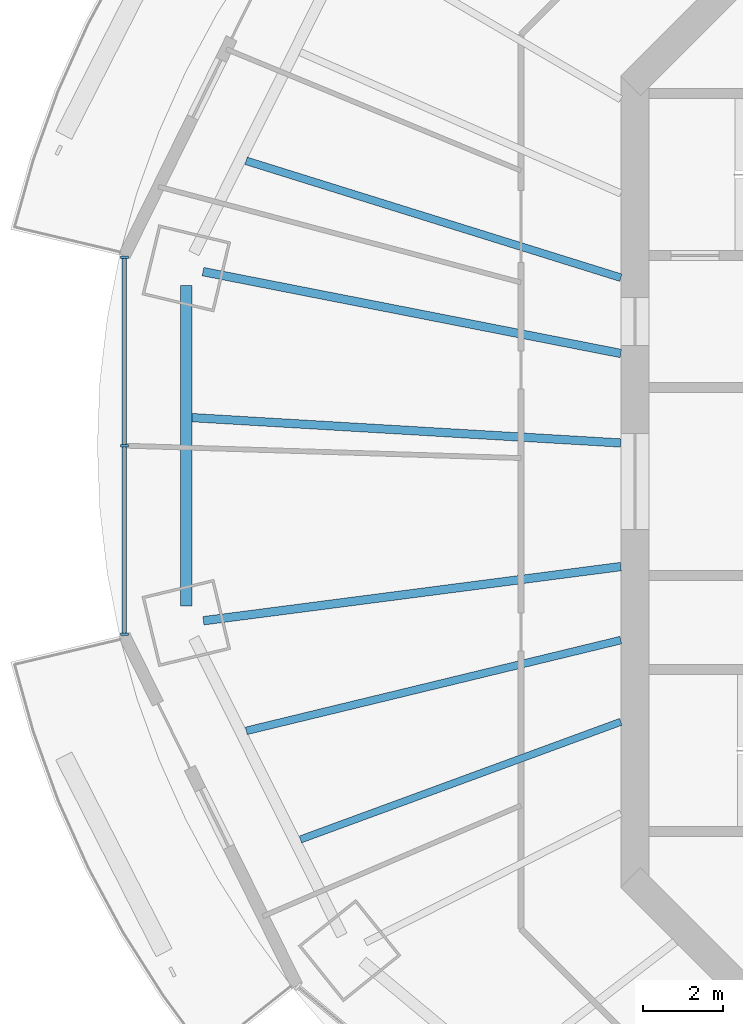
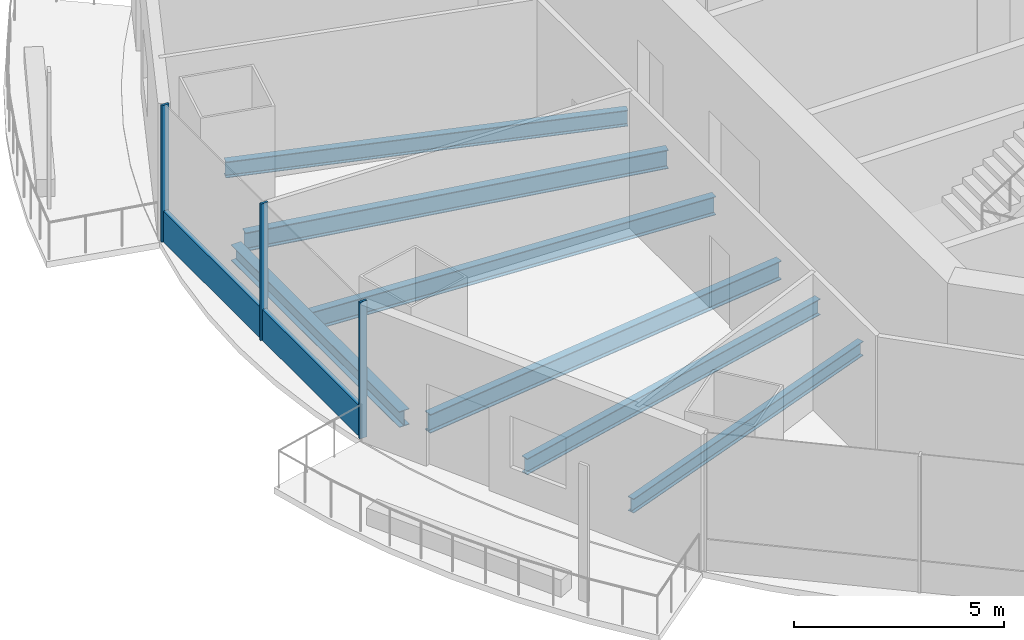
# One storey, part 3 of 16: 7 beams, 4 members, 1 element without a shape of its own.
"""IFC4 building model written with IfcOpenShell, lengths in metres."""

from ifc_helpers import new_model, si_unit, direction, frame, origin, origin_2d, place, context, subcontext, project, spatial, rectangle, i_section, extrude, material, material_profile, profile_set, type_object, element, aggregate, save


model = new_model("IFC4")

# Units and contexts
model_context = context("Model", 3, precision=1e-05, world=origin(), true_north=direction((0.0, 1.0)))
body_context = subcontext(model_context, "Body", "Model", "MODEL_VIEW")
ifc_project = project(units=[si_unit("LENGTHUNIT", "METRE"), si_unit("AREAUNIT", "SQUARE_METRE"), si_unit("VOLUMEUNIT", "CUBIC_METRE"), si_unit("PLANEANGLEUNIT", "RADIAN"), si_unit("MASSUNIT", "GRAM", prefix="KILO")], contexts=[model_context])

# Site, building, storey
site_placement = place(None, origin())
site = spatial("IfcSite", under=ifc_project, at=site_placement, CompositionType="ELEMENT")
building_placement = place(site_placement, origin())
building = spatial("IfcBuilding", under=site, at=building_placement, Name="Marenthal Gate Tower", CompositionType="ELEMENT")
storey_placement = place(building_placement, frame((0.0, 0.0, 284.5)))
storey = spatial("IfcBuildingStorey", under=building, at=storey_placement, Name="L63", CompositionType="ELEMENT", Elevation=284.5)

# Curtain wall, members
ifc_material_1 = material(Name="Aluminium and glass", Category="aluminium")
curtain_wall_type = type_object("IfcCurtainWallType", Name="Curtain wall typical high", PredefinedType="NOTDEFINED", material=ifc_material_1)
curtain_wall_placement = place(storey_placement, origin())
curtain_wall = element("IfcCurtainWall", 1, at=curtain_wall_placement, inside=storey, type_object=curtain_wall_type, Name="Curtain wall L63 bay 8", PredefinedType="NOTDEFINED")
ifc_material_2 = material(Name="Aluminium", Category="aluminium")
ifc_material_profile_1 = material_profile(ifc_material_2, rectangle(XDim=0.199951171875, YDim=0.06005859375, at=origin_2d()), Name="60x200 aluminium mullion")
ifc_profile_set_1 = profile_set([ifc_material_profile_1], Name="Aluminium")
member_type_1 = type_object("IfcMemberType", Name="Mullion 60x200 typical high", PredefinedType="MULLION", material=ifc_profile_set_1)
member_1_placement = place(storey_placement, frame((-28.76220703125, 5.611328125, 0.0), z_axis=(0.0, 0.0, 1.0), x_axis=(1.0, 0.0, 0.0)))
member_1 = element("IfcMember", 2, at=member_1_placement, type_object=member_type_1, Name="Mullion L63 bay 8.1", PredefinedType="MULLION", context=body_context, shape_type="SweptSolid", body=[
    extrude(rectangle(XDim=0.199951171875, YDim=0.06005859375, at=origin_2d()), origin(), (0.0, 0.0, 1.0), 3.969970703125),
])
member_2_placement = place(storey_placement, frame((-28.76220703125, 0.89990234375, 0.0), z_axis=(0.0, 0.0, 1.0), x_axis=(1.0, 0.0, 0.0)))
member_2 = element("IfcMember", 3, at=member_2_placement, type_object=member_type_1, Name="Mullion L63 bay 8.2", PredefinedType="MULLION", context=body_context, shape_type="SweptSolid", body=[
    extrude(rectangle(XDim=0.199951171875, YDim=0.06005859375, at=origin_2d()), origin(), (0.0, 0.0, 1.0), 3.969970703125),
])
member_3_placement = place(storey_placement, frame((-28.76220703125, -3.811279296875, 0.0), z_axis=(0.0, 0.0, 1.0), x_axis=(1.0, 0.0, 0.0)))
member_3 = element("IfcMember", 4, at=member_3_placement, type_object=member_type_1, Name="Mullion L63 bay 8.3", PredefinedType="MULLION", context=body_context, shape_type="SweptSolid", body=[
    extrude(rectangle(XDim=0.199951171875, YDim=0.06005859375, at=origin_2d()), origin(), (0.0, 0.0, 1.0), 3.969970703125),
])
ifc_material_3 = material(Name="Aluminium", Category="aluminium")
ifc_material_profile_2 = material_profile(ifc_material_3, rectangle(XDim=0.1201171875, YDim=0.89990234375, at=origin_2d()), Name="120x900 aluminium transom")
ifc_profile_set_2 = profile_set([ifc_material_profile_2], Name="Aluminium")
member_type_2 = type_object("IfcMemberType", Name="Transom 120x900 typical high", PredefinedType="USERDEFINED", material=ifc_profile_set_2)
member_4_placement = place(storey_placement, frame((-28.76220703125, 5.581298828125, 0.449951171875), z_axis=(0.0, -1.0, 0.0), x_axis=(1.0, 0.0, 0.0)))
member_4 = element("IfcMember", 5, at=member_4_placement, type_object=member_type_2, Name="Transom L63 bay 8", ObjectType="TRANSOM", PredefinedType="USERDEFINED", context=body_context, shape_type="SweptSolid", body=[
    extrude(rectangle(XDim=0.1201171875, YDim=0.89990234375, at=origin_2d()), origin(), (0.0, 0.0, 1.0), 9.362548828125),
])
aggregate(curtain_wall, [member_1, member_2, member_3, member_4])

# Beams
ifc_material_4 = material(Name="Steel S355", Category="steel")
ifc_material_profile_3 = material_profile(ifc_material_4, i_section(OverallWidth=0.180908203125, OverallDepth=0.4169921875, WebThickness=0.010986328125, FlangeThickness=0.018310546875, FilletRadius=0.01025390625, at=origin_2d()), Name="W410X85")
ifc_profile_set_3 = profile_set([ifc_material_profile_3], Name="Steel S355")
beam_type_1 = type_object("IfcBeamType", Name="W410X85 beam", PredefinedType="BEAM", material=ifc_profile_set_3)
beam_1_placement = place(storey_placement, frame((-24.359619140625, -8.9453125, -0.388427734375), z_axis=(0.938711900475, 0.344702723962, 0.0), x_axis=(-0.344702723962, 0.938711900475, 0.0)))
element("IfcBeam", 6, at=beam_1_placement, inside=storey, type_object=beam_type_1, Name="BM-L63-30", PredefinedType="BEAM", context=body_context, shape_type="SweptSolid", body=[
    extrude(i_section(OverallWidth=0.180908203125, OverallDepth=0.4169921875, WebThickness=0.010986328125, FlangeThickness=0.018310546875, FilletRadius=0.01025390625, at=origin_2d()), origin(), (0.0, 0.0, 1.0), 8.532470703125),
])
ifc_material_5 = material(Name="Steel S355", Category="steel")
ifc_material_profile_4 = material_profile(ifc_material_5, i_section(OverallWidth=0.279052734375, OverallDepth=0.4619140625, WebThickness=0.0107421875, FlangeThickness=0.017333984375, FilletRadius=0.010009765625, at=origin_2d()), Name="W460X113")
ifc_profile_set_4 = profile_set([ifc_material_profile_4], Name="Steel S355")
beam_type_2 = type_object("IfcBeamType", Name="W460X113 beam", PredefinedType="BEAM", material=ifc_profile_set_4)
beam_2_placement = place(storey_placement, frame((-27.212646484375, 4.90771484375, -0.410888671875), z_axis=(0.0, -1.0, 0.0), x_axis=(1.0, 0.0, 0.0)))
element("IfcBeam", 7, at=beam_2_placement, inside=storey, type_object=beam_type_2, Name="BM-L63-48", PredefinedType="BEAM", context=body_context, shape_type="SweptSolid", body=[
    extrude(i_section(OverallWidth=0.279052734375, OverallDepth=0.4619140625, WebThickness=0.0107421875, FlangeThickness=0.017333984375, FilletRadius=0.010009765625, at=origin_2d()), origin(), (0.0, 0.0, 1.0), 8.015380859375),
])
ifc_material_6 = material(Name="Steel S355", Category="steel")
ifc_material_profile_5 = material_profile(ifc_material_6, i_section(OverallWidth=0.193115234375, OverallDepth=0.467041015625, WebThickness=0.011474609375, FlangeThickness=0.01904296875, FilletRadius=0.010009765625, at=origin_2d()), Name="W460X97")
ifc_profile_set_5 = profile_set([ifc_material_profile_5], Name="Steel S355")
beam_type_3 = type_object("IfcBeamType", Name="W460X97 beam", PredefinedType="BEAM", material=ifc_profile_set_5)
beam_3_placement = place(storey_placement, frame((-25.71728515625, 8.021240234375, -0.41357421875), z_axis=(0.954642758958, -0.297753594048, 0.0), x_axis=(0.297753594048, 0.954642758958, 0.0)))
element("IfcBeam", 8, at=beam_3_placement, inside=storey, type_object=beam_type_3, Name="BM-L63-27", PredefinedType="BEAM", context=body_context, shape_type="SweptSolid", body=[
    extrude(i_section(OverallWidth=0.193115234375, OverallDepth=0.467041015625, WebThickness=0.011474609375, FlangeThickness=0.01904296875, FilletRadius=0.010009765625, at=origin_2d()), origin(), (0.0, 0.0, 1.0), 9.812255859375),
])
beam_4_placement = place(storey_placement, frame((-25.712890625, -6.229736328125, -0.41357421875), z_axis=(0.971878935492, 0.235481070889, 0.0), x_axis=(-0.235481070889, 0.971878935492, 0.0)))
element("IfcBeam", 9, at=beam_4_placement, inside=storey, type_object=beam_type_3, Name="BM-L63-29", PredefinedType="BEAM", context=body_context, shape_type="SweptSolid", body=[
    extrude(i_section(OverallWidth=0.193115234375, OverallDepth=0.467041015625, WebThickness=0.011474609375, FlangeThickness=0.01904296875, FilletRadius=0.010009765625, at=origin_2d()), origin(), (0.0, 0.0, 1.0), 9.6337890625),
])
ifc_material_7 = material(Name="Steel S355", Category="steel")
ifc_material_profile_6 = material_profile(ifc_material_7, i_section(OverallWidth=0.2099609375, OverallDepth=0.535888671875, WebThickness=0.010986328125, FlangeThickness=0.017333984375, FilletRadius=0.0126953125, at=origin_2d()), Name="W530X101")
ifc_profile_set_6 = profile_set([ifc_material_profile_6], Name="Steel S355")
beam_type_4 = type_object("IfcBeamType", Name="W530X101 beam", PredefinedType="BEAM", material=ifc_profile_set_6)
beam_5_placement = place(storey_placement, frame((-27.0732421875, 1.60107421875, -0.447998046875), z_axis=(0.998255197451, -0.059047106302, 0.0), x_axis=(0.059047106302, 0.998255197451, 0.0)))
element("IfcBeam", 10, at=beam_5_placement, inside=storey, type_object=beam_type_4, Name="BM-L63-28", PredefinedType="BEAM", context=body_context, shape_type="SweptSolid", body=[
    extrude(i_section(OverallWidth=0.2099609375, OverallDepth=0.535888671875, WebThickness=0.010986328125, FlangeThickness=0.017333984375, FilletRadius=0.0126953125, at=origin_2d()), origin(), (0.0, 0.0, 1.0), 10.741943359375),
])
ifc_material_8 = material(Name="Steel S355", Category="steel")
ifc_material_profile_7 = material_profile(ifc_material_8, i_section(OverallWidth=0.2119140625, OverallDepth=0.5439453125, WebThickness=0.01318359375, FlangeThickness=0.021240234375, FilletRadius=0.0126953125, at=origin_2d()), Name="W530X123")
ifc_profile_set_7 = profile_set([ifc_material_profile_7], Name="Steel S355")
beam_type_5 = type_object("IfcBeamType", Name="W530X123 beam", PredefinedType="BEAM", material=ifc_profile_set_7)
beam_6_placement = place(storey_placement, frame((-26.794921875, 5.251220703125, -0.451904296875), z_axis=(0.9813294573, -0.192334334521, 0.0), x_axis=(0.192334334521, 0.9813294573, 0.0)))
element("IfcBeam", 11, at=beam_6_placement, inside=storey, type_object=beam_type_5, Name="BM-L63-08", PredefinedType="BEAM", context=body_context, shape_type="SweptSolid", body=[
    extrude(i_section(OverallWidth=0.2119140625, OverallDepth=0.5439453125, WebThickness=0.01318359375, FlangeThickness=0.021240234375, FilletRadius=0.0126953125, at=origin_2d()), origin(), (0.0, 0.0, 1.0), 10.6435546875),
])
beam_7_placement = place(storey_placement, frame((-26.785888671875, -3.4775390625, -0.451904296875), z_axis=(0.991678883183, 0.128736135753, 0.0), x_axis=(-0.128736135753, 0.991678883183, 0.0)))
element("IfcBeam", 12, at=beam_7_placement, inside=storey, type_object=beam_type_5, Name="BM-L63-09", PredefinedType="BEAM", context=body_context, shape_type="SweptSolid", body=[
    extrude(i_section(OverallWidth=0.2119140625, OverallDepth=0.5439453125, WebThickness=0.01318359375, FlangeThickness=0.021240234375, FilletRadius=0.0126953125, at=origin_2d()), origin(), (0.0, 0.0, 1.0), 10.5234375),
])

save(model, "model.ifc")
